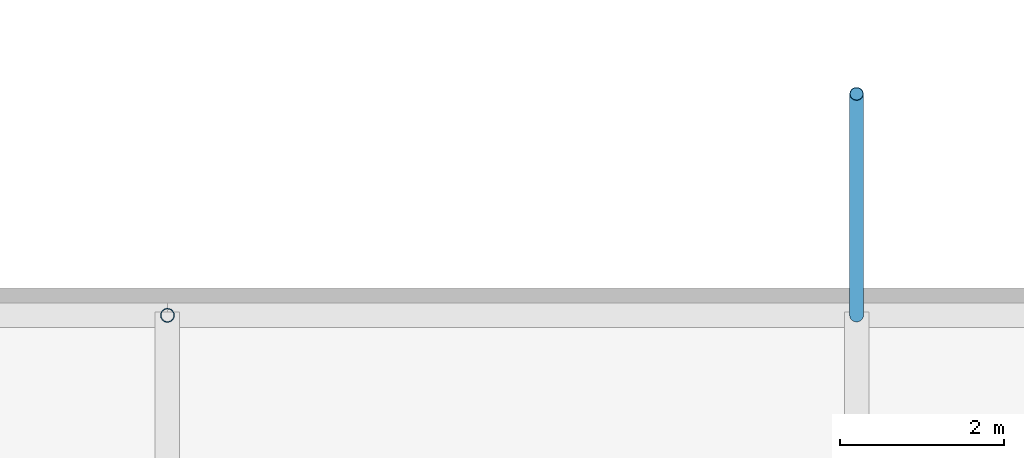
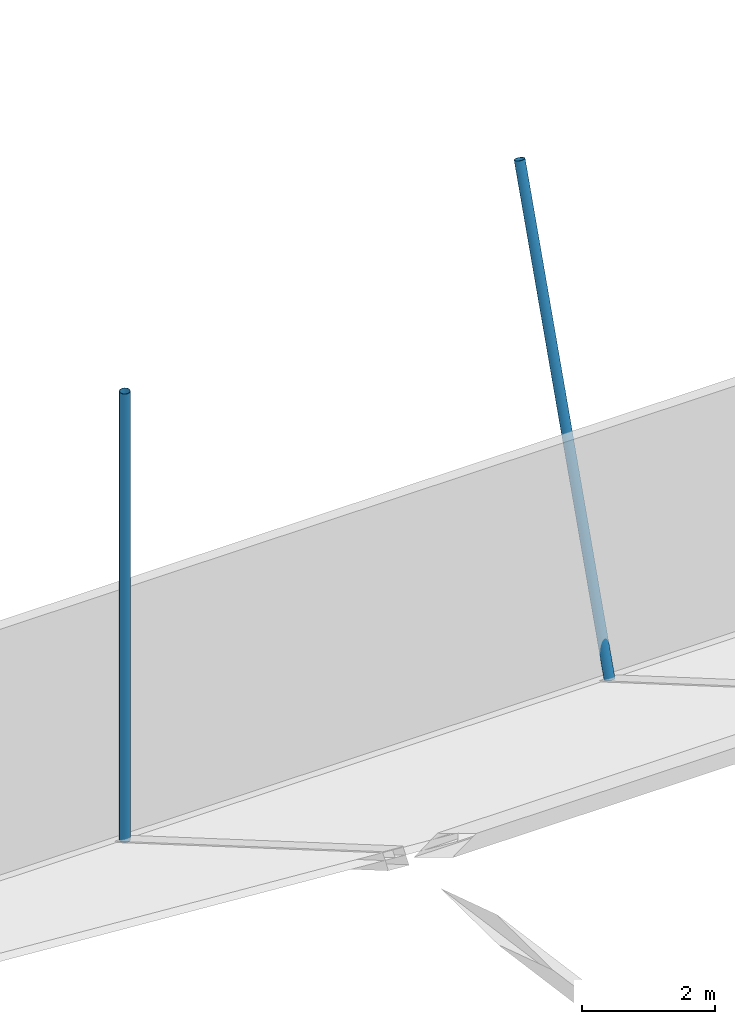
# One storey, part 96 of 111: 2 discrete accessories.
"""IFC4 building model written with IfcOpenShell, lengths in metres."""

from ifc_helpers import new_model, si_unit, direction, frame, origin, origin_2d, place, context, subcontext, project, spatial, hollow_circle, extrude, material, material_profile, profile_set, type_object, element, save


model = new_model("IFC4")

# Units and contexts
model_context = context("Model", 3, precision=1e-05, world=origin(), true_north=direction((0.0, 1.0)))
body_context = subcontext(model_context, "Body", "Model", "MODEL_VIEW")
ifc_project = project(units=[si_unit("LENGTHUNIT", "METRE"), si_unit("AREAUNIT", "SQUARE_METRE"), si_unit("VOLUMEUNIT", "CUBIC_METRE"), si_unit("PLANEANGLEUNIT", "RADIAN"), si_unit("MASSUNIT", "GRAM", prefix="KILO")], contexts=[model_context])

# Site, building, storey
site_placement = place(None, origin())
site = spatial("IfcSite", under=ifc_project, at=site_placement, CompositionType="ELEMENT")
building_placement = place(site_placement, origin())
building = spatial("IfcBuilding", under=site, at=building_placement, Name="Rain Tree Exposition and Congress Centre", CompositionType="ELEMENT")
storey_placement = place(building_placement, frame((0.0, 0.0, 19.5)))
storey = spatial("IfcBuildingStorey", under=building, at=storey_placement, Name="RF", CompositionType="ELEMENT", Elevation=19.5)

# Discrete accessories
ifc_material = material(Name="Steel S355J2H", Category="steel")
ifc_material_profile = material_profile(ifc_material, hollow_circle(Radius=0.084228515625, WallThickness=0.006103515625, at=origin_2d()), Name="CHS 168x6")
ifc_profile_set = profile_set([ifc_material_profile], Name="Steel S355J2H")
discrete_accessory_type = type_object("IfcDiscreteAccessoryType", Name="Roof skin post CHS 168x6", PredefinedType="BRACKET", material=ifc_profile_set)
discrete_accessory_1_placement = place(storey_placement, frame((193.199951171875, 201.60009765625, 0.5), z_axis=(0.0, 0.0, 1.0), x_axis=(1.0, 0.0, 0.0)))
element("IfcDiscreteAccessory", 1, at=discrete_accessory_1_placement, inside=storey, type_object=discrete_accessory_type, Name="Roof skin post B163", PredefinedType="BRACKET", context=body_context, shape_type="SweptSolid", body=[
    extrude(hollow_circle(Radius=0.084228515625, WallThickness=0.006103515625, at=origin_2d()), origin(), (0.0, 0.0, 1.0), 8.219970703125),
])
discrete_accessory_2_placement = place(storey_placement, frame((201.60009765625, 201.60009765625, 0.5), z_axis=(0.0, 0.323798040896, 0.946126222399), x_axis=(-1.0, 0.0, 0.0)))
element("IfcDiscreteAccessory", 2, at=discrete_accessory_2_placement, inside=storey, type_object=discrete_accessory_type, Name="Roof skin post B164", PredefinedType="BRACKET", context=body_context, shape_type="SweptSolid", body=[
    extrude(hollow_circle(Radius=0.084228515625, WallThickness=0.006103515625, at=origin_2d()), origin(), (0.0, 0.0, 1.0), 8.33837890625),
])

save(model, "model.ifc")
